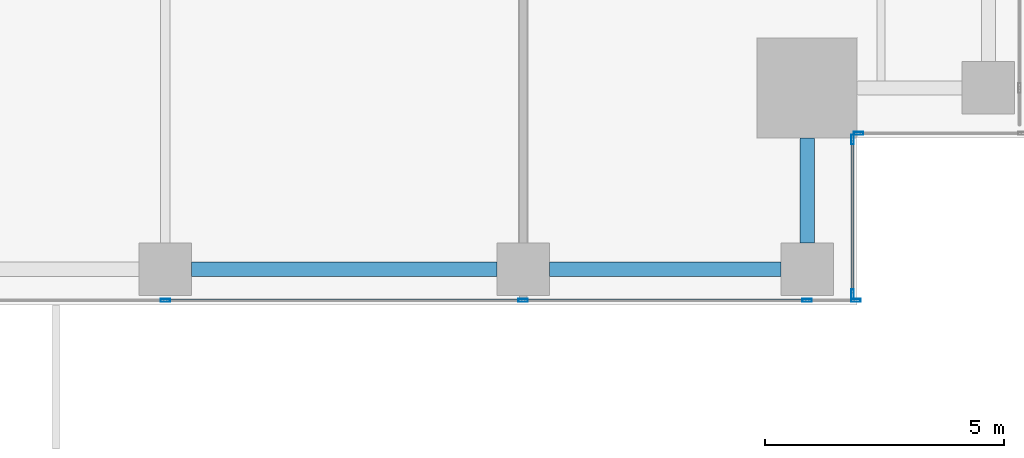
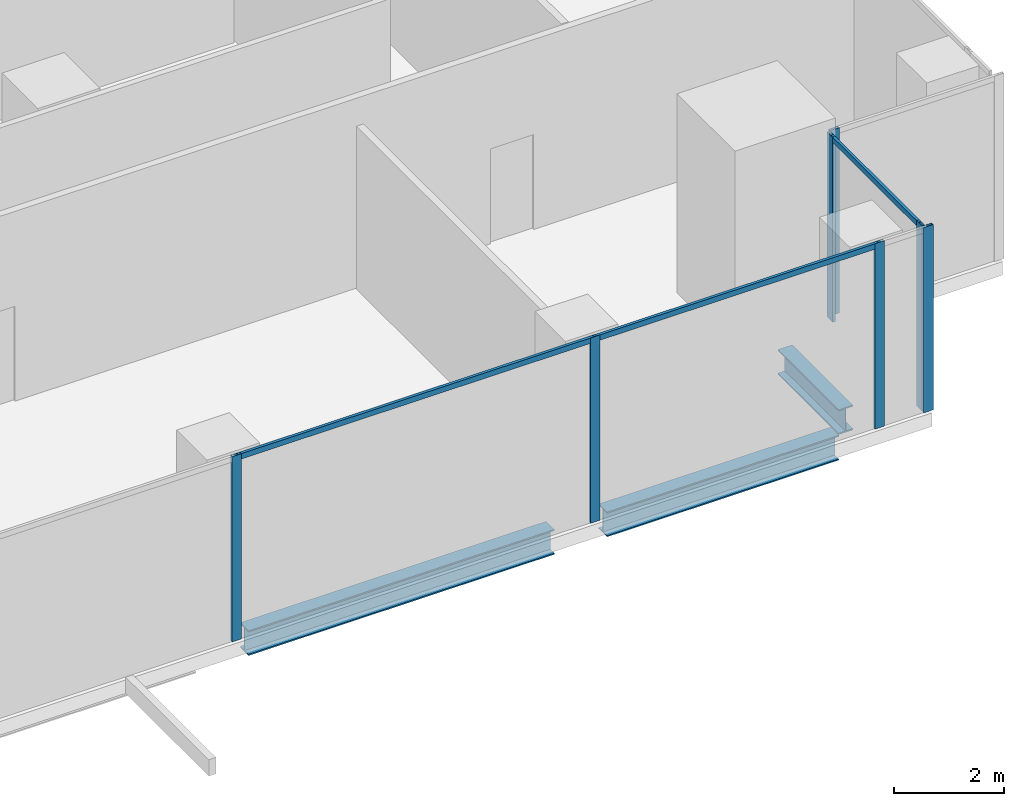
# One storey, part 9 of 34: 10 members, 3 beams, 3 elements without a shape of their own.
"""IFC4 building model written with IfcOpenShell, lengths in metres."""

from ifc_helpers import new_model, si_unit, direction, frame, origin, origin_2d, place, context, subcontext, project, spatial, hollow_rectangle, i_section, extrude, source, transform, mapped, material, material_profile, profile_set, type_object, element, aggregate, save


model = new_model("IFC4")

# Units and contexts
model_context = context("Model", 3, precision=1e-05, world=origin(), true_north=direction((0.0, 1.0)))
body_context = subcontext(model_context, "Body", "Model", "MODEL_VIEW")
ifc_project = project(units=[si_unit("LENGTHUNIT", "METRE"), si_unit("AREAUNIT", "SQUARE_METRE"), si_unit("VOLUMEUNIT", "CUBIC_METRE"), si_unit("PLANEANGLEUNIT", "RADIAN"), si_unit("MASSUNIT", "GRAM", prefix="KILO")], contexts=[model_context])

# Site, building, storey
site_placement = place(None, origin())
site = spatial("IfcSite", under=ifc_project, at=site_placement, CompositionType="ELEMENT")
building_placement = place(site_placement, origin())
building = spatial("IfcBuilding", under=site, at=building_placement, Name="Khomas Fold Tower", CompositionType="ELEMENT")
storey_placement = place(building_placement, frame((0.0, 0.0, 145.5)))
storey = spatial("IfcBuildingStorey", under=building, at=storey_placement, Name="L31", CompositionType="ELEMENT", Elevation=145.5)

# Beams
ifc_material_1 = material(Name="Steel S355", Category="steel")
ifc_material_profile_1 = material_profile(ifc_material_1, i_section(OverallWidth=0.300048828125, OverallDepth=0.550048828125, WebThickness=0.014892578125, FlangeThickness=0.029052734375, at=origin_2d()), Name="HE 550 B")
ifc_profile_set_1 = profile_set([ifc_material_profile_1], Name="Steel S355")
beam_type = type_object("IfcBeamType", Name="HE 550 B spandrel SB2", PredefinedType="SPANDREL", material=ifc_profile_set_1)
shared_shape_1 = source(origin(), body_context, "Body", "SweptSolid", [
    extrude(i_section(OverallWidth=0.300048828125, OverallDepth=0.550048828125, WebThickness=0.014892578125, FlangeThickness=0.029052734375, at=origin_2d()), origin(), (0.0, 0.0, 1.0), 4.849853515625),
])
beam_1_placement = place(storey_placement, frame((42.550048828125, 2.25, -0.574951171875), z_axis=(1.0, 0.0, 0.0), x_axis=(0.0, 1.0, 0.0)))
element("IfcBeam", 1, at=beam_1_placement, inside=storey, type_object=beam_type, Name="SB2", PredefinedType="SPANDREL", context=body_context, shape_type="MappedRepresentation", body=[
    mapped(shared_shape_1, transform((0.0, 0.0, 0.0))),
])
shared_shape_2 = source(origin(), body_context, "Body", "SweptSolid", [
    extrude(i_section(OverallWidth=0.300048828125, OverallDepth=0.550048828125, WebThickness=0.014892578125, FlangeThickness=0.029052734375, at=origin_2d()), origin(), (0.0, 0.0, 1.0), 6.39990234375),
])
beam_2_placement = place(storey_placement, frame((35.050048828125, 2.25, -0.574951171875), z_axis=(1.0, 0.0, 0.0), x_axis=(0.0, 1.0, 0.0)))
element("IfcBeam", 2, at=beam_2_placement, inside=storey, type_object=beam_type, Name="SB2", PredefinedType="SPANDREL", context=body_context, shape_type="MappedRepresentation", body=[
    mapped(shared_shape_2, transform((0.0, 0.0, 0.0))),
])
shared_shape_3 = source(origin(), body_context, "Body", "SweptSolid", [
    extrude(i_section(OverallWidth=0.300048828125, OverallDepth=0.550048828125, WebThickness=0.014892578125, FlangeThickness=0.029052734375, at=origin_2d()), origin(), (0.0, 0.0, 1.0), 2.199951171875),
])
beam_3_placement = place(storey_placement, frame((47.949951171875, 2.800048828125, -0.574951171875), z_axis=(0.0, 1.0, 0.0), x_axis=(-1.0, 0.0, 0.0)))
element("IfcBeam", 3, at=beam_3_placement, inside=storey, type_object=beam_type, Name="SB2", PredefinedType="SPANDREL", context=body_context, shape_type="MappedRepresentation", body=[
    mapped(shared_shape_3, transform((0.0, 0.0, 0.0))),
])

# Curtain wall, members
ifc_material_2 = material(Name="Aluminium framed double glazing", Category="aluminium")
curtain_wall_type = type_object("IfcCurtainWallType", Name="SK-Unitised clear-glass wall, growing floors CW1", PredefinedType="NOTDEFINED", material=ifc_material_2)
curtain_wall_1_placement = place(storey_placement, origin())
curtain_wall_1 = element("IfcCurtainWall", 4, at=curtain_wall_1_placement, inside=storey, type_object=curtain_wall_type, Name="CW1 run L31 00-0", PredefinedType="NOTDEFINED")
ifc_material_3 = material(Name="Aluminium", Category="aluminium")
ifc_material_profile_2 = material_profile(ifc_material_3, hollow_rectangle(XDim=0.06005859375, YDim=0.1201171875, WallThickness=0.00390625, at=origin_2d()), Name="SK-Unitised clear-glass wall, growing floors transom CW1-T")
ifc_profile_set_2 = profile_set([ifc_material_profile_2], Name="Aluminium")
member_type_1 = type_object("IfcMemberType", Name="SK-Unitised clear-glass wall, growing floors transom CW1-T", PredefinedType="USERDEFINED", material=ifc_profile_set_2)
shared_shape_4 = source(origin(), body_context, "Body", "SweptSolid", [
    extrude(hollow_rectangle(XDim=0.06005859375, YDim=0.1201171875, WallThickness=0.00390625, at=origin_2d()), origin(), (0.0, 0.0, 1.0), 7.43994140625),
])
member_1_placement = place(storey_placement, frame((34.530029296875, 1.60009765625, 4.0400390625), z_axis=(1.0, 0.0, 0.0), x_axis=(0.0, 1.0, 0.0)))
member_1 = element("IfcMember", 5, at=member_1_placement, type_object=member_type_1, Name="CW1 transom 6", ObjectType="TRANSOM", PredefinedType="USERDEFINED", context=body_context, shape_type="MappedRepresentation", body=[
    mapped(shared_shape_4, transform((0.0, 0.0, 0.0))),
])
ifc_material_4 = material(Name="Aluminium", Category="aluminium")
ifc_material_profile_3 = material_profile(ifc_material_4, hollow_rectangle(XDim=0.06005859375, YDim=0.199951171875, WallThickness=0.00390625, at=origin_2d()), Name="SK-Unitised clear-glass wall, growing floors mullion CW1-M")
ifc_profile_set_3 = profile_set([ifc_material_profile_3], Name="Aluminium")
member_type_2 = type_object("IfcMemberType", Name="SK-Unitised clear-glass wall, growing floors mullion CW1-M", PredefinedType="MULLION", material=ifc_profile_set_3)
shared_shape_5 = source(origin(), body_context, "Body", "SweptSolid", [
    extrude(hollow_rectangle(XDim=0.06005859375, YDim=0.199951171875, WallThickness=0.00390625, at=origin_2d()), origin(), (0.0, 0.0, 1.0), 4.10009765625),
])
member_2_placement = place(storey_placement, frame((34.5, 1.60009765625, 0.0), z_axis=(0.0, 0.0, 1.0), x_axis=(0.0, 1.0, 0.0)))
member_2 = element("IfcMember", 6, at=member_2_placement, type_object=member_type_2, Name="CW1 mullion 6", PredefinedType="MULLION", context=body_context, shape_type="MappedRepresentation", body=[
    mapped(shared_shape_5, transform((0.0, 0.0, 0.0))),
])
member_3_placement = place(storey_placement, frame((42.0, 1.60009765625, 0.0), z_axis=(0.0, 0.0, 1.0), x_axis=(0.0, 1.0, 0.0)))
member_3 = element("IfcMember", 7, at=member_3_placement, type_object=member_type_2, Name="CW1 mullion 7", PredefinedType="MULLION", context=body_context, shape_type="MappedRepresentation", body=[
    mapped(shared_shape_5, transform((0.0, 0.0, 0.0))),
])
member_4_placement = place(storey_placement, frame((47.949951171875, 1.60009765625, 0.0), z_axis=(0.0, 0.0, 1.0), x_axis=(0.0, 1.0, 0.0)))
member_4 = element("IfcMember", 8, at=member_4_placement, type_object=member_type_2, Name="CW1 mullion 8", PredefinedType="MULLION", context=body_context, shape_type="MappedRepresentation", body=[
    mapped(shared_shape_5, transform((0.0, 0.0, 0.0))),
])
member_5_placement = place(storey_placement, frame((48.969970703125, 1.60009765625, 0.0), z_axis=(0.0, 0.0, 1.0), x_axis=(0.0, 1.0, 0.0)))
member_5 = element("IfcMember", 9, at=member_5_placement, type_object=member_type_2, Name="CW1 mullion 9", PredefinedType="MULLION", context=body_context, shape_type="MappedRepresentation", body=[
    mapped(shared_shape_5, transform((0.0, 0.0, 0.0))),
])

curtain_wall_2_placement = place(storey_placement, origin())
curtain_wall_2 = element("IfcCurtainWall", 10, at=curtain_wall_2_placement, inside=storey, type_object=curtain_wall_type, Name="CW1 corner return L31 01", PredefinedType="NOTDEFINED")
member_6_placement = place(storey_placement, frame((48.89990234375, 1.72998046875, 0.0), z_axis=(0.0, 0.0, 1.0), x_axis=(-1.0, 0.0, 0.0)))
member_6 = element("IfcMember", 11, at=member_6_placement, type_object=member_type_2, Name="CW1 mullion 1", PredefinedType="MULLION", context=body_context, shape_type="MappedRepresentation", body=[
    mapped(shared_shape_5, transform((0.0, 0.0, 0.0))),
])
member_7_placement = place(storey_placement, frame((48.89990234375, 4.969970703125, 0.0), z_axis=(0.0, 0.0, 1.0), x_axis=(-1.0, 0.0, 0.0)))
member_7 = element("IfcMember", 12, at=member_7_placement, type_object=member_type_2, Name="CW1 mullion 2", PredefinedType="MULLION", context=body_context, shape_type="MappedRepresentation", body=[
    mapped(shared_shape_5, transform((0.0, 0.0, 0.0))),
])

# Curtain wall, member
curtain_wall_3_placement = place(storey_placement, origin())
curtain_wall_3 = element("IfcCurtainWall", 13, at=curtain_wall_3_placement, inside=storey, type_object=curtain_wall_type, Name="CW1 corner return L31 02", PredefinedType="NOTDEFINED")
member_8_placement = place(storey_placement, frame((49.030029296875, 5.10009765625, 0.0), z_axis=(0.0, 0.0, 1.0), x_axis=(0.0, 1.0, 0.0)))
member_8 = element("IfcMember", 14, at=member_8_placement, type_object=member_type_2, Name="CW1 mullion 1", PredefinedType="MULLION", context=body_context, shape_type="MappedRepresentation", body=[
    mapped(shared_shape_5, transform((0.0, 0.0, 0.0))),
])
aggregate(curtain_wall_3, [member_8])

# Member
shared_shape_6 = source(origin(), body_context, "Body", "SweptSolid", [
    extrude(hollow_rectangle(XDim=0.06005859375, YDim=0.1201171875, WallThickness=0.00390625, at=origin_2d()), origin(), (0.0, 0.0, 1.0), 5.889892578125),
])
member_9_placement = place(storey_placement, frame((42.030029296875, 1.60009765625, 4.0400390625), z_axis=(1.0, 0.0, 0.0), x_axis=(0.0, 1.0, 0.0)))
member_9 = element("IfcMember", 15, at=member_9_placement, type_object=member_type_1, Name="CW1 transom 7", ObjectType="TRANSOM", PredefinedType="USERDEFINED", context=body_context, shape_type="MappedRepresentation", body=[
    mapped(shared_shape_6, transform((0.0, 0.0, 0.0))),
])

aggregate(curtain_wall_1, [member_2, member_3, member_4, member_5, member_1, member_9])

shared_shape_7 = source(origin(), body_context, "Body", "SweptSolid", [
    extrude(hollow_rectangle(XDim=0.06005859375, YDim=0.1201171875, WallThickness=0.00390625, at=origin_2d()), origin(), (0.0, 0.0, 1.0), 3.179931640625),
])
member_10_placement = place(storey_placement, frame((48.89990234375, 1.760009765625, 4.0400390625), z_axis=(0.0, 1.0, 0.0), x_axis=(-1.0, 0.0, 0.0)))
member_10 = element("IfcMember", 16, at=member_10_placement, type_object=member_type_1, Name="CW1 transom 1", ObjectType="TRANSOM", PredefinedType="USERDEFINED", context=body_context, shape_type="MappedRepresentation", body=[
    mapped(shared_shape_7, transform((0.0, 0.0, 0.0))),
])

aggregate(curtain_wall_2, [member_6, member_7, member_10])

save(model, "model.ifc")
